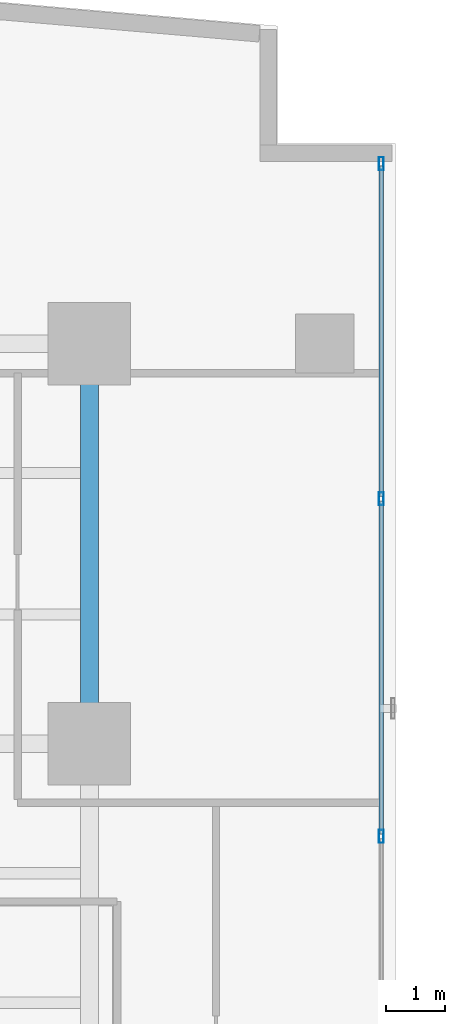
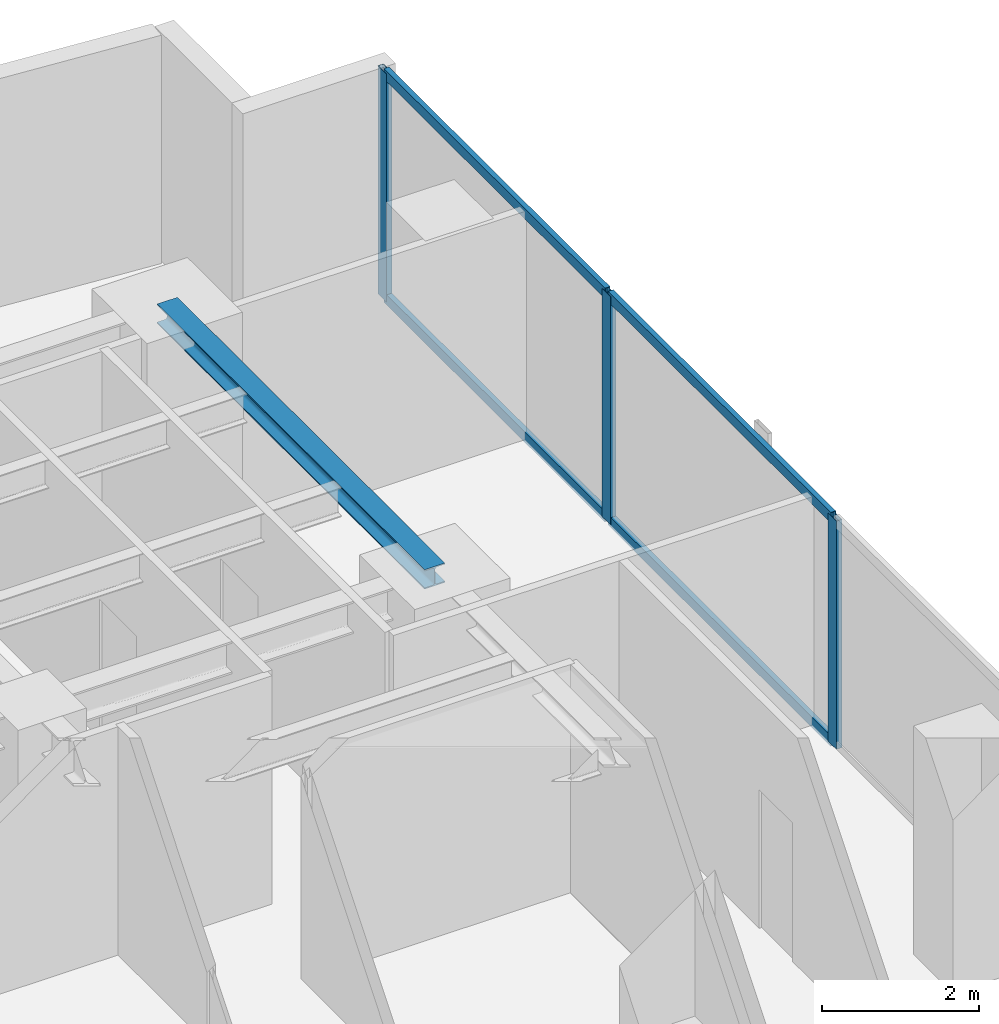
# One storey, part 18 of 27: 7 members, 1 beam, 1 element without a shape of its own.
"""IFC4 building model written with IfcOpenShell, lengths in metres."""

from ifc_helpers import new_model, si_unit, direction, frame, origin, origin_with_axes, origin_2d, place, context, subcontext, project, spatial, hollow_rectangle, i_section, extrude, source, transform, mapped, material, layer, layer_set, material_profile, profile_set, type_object, element, aggregate, save


model = new_model("IFC4")

# Units and contexts
model_context = context("Model", 3, precision=1e-05, world=origin(), true_north=direction((0.0, 1.0)))
body_context = subcontext(model_context, "Body", "Model", "MODEL_VIEW")
ifc_project = project(units=[si_unit("LENGTHUNIT", "METRE"), si_unit("AREAUNIT", "SQUARE_METRE"), si_unit("VOLUMEUNIT", "CUBIC_METRE"), si_unit("PLANEANGLEUNIT", "RADIAN"), si_unit("MASSUNIT", "GRAM", prefix="KILO")], contexts=[model_context])

# Site, building, storey
site_placement = place(None, origin())
site = spatial("IfcSite", under=ifc_project, at=site_placement, CompositionType="ELEMENT")
building_placement = place(site_placement, origin())
building = spatial("IfcBuilding", under=site, at=building_placement, Name="Kolvaren Waterfront Exchange", CompositionType="ELEMENT")
storey_placement = place(building_placement, frame((0.0, 0.0, 118.300048828125)))
storey = spatial("IfcBuildingStorey", under=building, at=storey_placement, Name="L30", CompositionType="ELEMENT", Elevation=118.300048828125)

# Beam
ifc_material_1 = material(Name="Steel S355", Category="steel")
ifc_material_profile_1 = material_profile(ifc_material_1, i_section(OverallWidth=0.300048828125, OverallDepth=0.300048828125, WebThickness=0.010986328125, FlangeThickness=0.01904296875, FilletRadius=0.027099609375, at=origin_2d()), Name="HEB300")
ifc_profile_set_1 = profile_set([ifc_material_profile_1], Name="Steel S355")
beam_type = type_object("IfcBeamType", Name="STR-BM-HEB300", PredefinedType="SPANDREL", material=ifc_profile_set_1)
beam_placement = place(storey_placement, frame((18.800048828125, 37.800048828125, 3.389892578125), z_axis=(0.0, 1.0, 0.0), x_axis=(-1.0, 0.0, 0.0)))
element("IfcBeam", 1, at=beam_placement, inside=storey, type_object=beam_type, Name="L30 north-arm edge beam 3", PredefinedType="SPANDREL", context=body_context, shape_type="SweptSolid", body=[
    extrude(i_section(OverallWidth=0.300048828125, OverallDepth=0.300048828125, WebThickness=0.010986328125, FlangeThickness=0.01904296875, FilletRadius=0.027099609375, at=origin_2d()), origin(), (0.0, 0.0, 1.0), 6.800048828125),
])

# Curtain wall, members
ifc_material_2 = material(Name="Anodised bronze aluminium 6063-T6", Category="aluminium")
ifc_layer = layer(ifc_material_2, 0.219970703125, Name="Anodised bronze aluminium 6063-T6")
ifc_layer_set = layer_set([ifc_layer], Name="Anodised bronze aluminium 6063-T6")
curtain_wall_type = type_object("IfcCurtainWallType", Name="ARC-CW-SYS1", PredefinedType="USERDEFINED", material=ifc_layer_set)
curtain_wall_placement = place(storey_placement, origin())
curtain_wall = element("IfcCurtainWall", 2, at=curtain_wall_placement, inside=storey, type_object=curtain_wall_type, Name="L30 stick curtain wall CW1 (CW-L30-NE)", ObjectType="STICK CURTAIN WALL", PredefinedType="USERDEFINED")
ifc_material_3 = material(Name="Anodised aluminium 6063-T6", Category="aluminium")
ifc_material_profile_2 = material_profile(ifc_material_3, hollow_rectangle(XDim=0.080078125, YDim=0.219970703125, WallThickness=0.0048828125, at=origin_2d()), Name="ALU-MUL-220x80x5")
ifc_profile_set_2 = profile_set([ifc_material_profile_2], Name="Anodised aluminium 6063-T6")
member_type_1 = type_object("IfcMemberType", Name="ARC-CWM-220", PredefinedType="MULLION", material=ifc_profile_set_2)
shared_shape_1 = source(origin_with_axes(), body_context, "Body", "SweptSolid", [
    extrude(hollow_rectangle(XDim=0.080078125, YDim=0.219970703125, WallThickness=0.0048828125, at=origin_2d()), origin(), (0.0, 0.0, 1.0), 3.5400390625),
])
member_1_placement = place(storey_placement, frame((23.760009765625, 36.2265625, 0.0), z_axis=(0.0, 0.0, 1.0), x_axis=(-1.0, 0.0, 0.0)))
member_1 = element("IfcMember", 3, at=member_1_placement, type_object=member_type_1, Name="CW1 mullion 2", PredefinedType="MULLION", context=body_context, shape_type="MappedRepresentation", body=[
    mapped(shared_shape_1, transform((0.0, 0.0, 0.0), x_axis=(1.0, 0.0, 0.0), y_axis=(0.0, 1.0, 0.0), z_axis=(0.0, 0.0, 1.0), scale=1.0)),
])
member_2_placement = place(storey_placement, frame((23.760009765625, 41.96337890625, 0.0), z_axis=(0.0, 0.0, 1.0), x_axis=(-1.0, 0.0, 0.0)))
member_2 = element("IfcMember", 4, at=member_2_placement, type_object=member_type_1, Name="CW1 mullion 3", PredefinedType="MULLION", context=body_context, shape_type="MappedRepresentation", body=[
    mapped(shared_shape_1, transform((0.0, 0.0, 0.0), x_axis=(1.0, 0.0, 0.0), y_axis=(0.0, 1.0, 0.0), z_axis=(0.0, 0.0, 1.0), scale=1.0)),
])
member_3_placement = place(storey_placement, frame((23.760009765625, 47.659912109375, 0.0), z_axis=(0.0, 0.0, 1.0), x_axis=(-1.0, 0.0, 0.0)))
member_3 = element("IfcMember", 5, at=member_3_placement, type_object=member_type_1, Name="CW1 mullion 4", PredefinedType="MULLION", context=body_context, shape_type="MappedRepresentation", body=[
    mapped(shared_shape_1, transform((0.0, 0.0, 0.0), x_axis=(1.0, 0.0, 0.0), y_axis=(0.0, 1.0, 0.0), z_axis=(0.0, 0.0, 1.0), scale=1.0)),
])
ifc_material_profile_3 = material_profile(ifc_material_3, hollow_rectangle(XDim=0.074951171875, YDim=0.159912109375, WallThickness=0.00439453125, at=origin_2d()), Name="ALU-TRN-160x75x4.5")
ifc_profile_set_3 = profile_set([ifc_material_profile_3], Name="Anodised aluminium 6063-T6")
member_type_2 = type_object("IfcMemberType", Name="ARC-CWT-160", PredefinedType="USERDEFINED", material=ifc_profile_set_3)
shared_shape_2 = source(origin_with_axes(), body_context, "Body", "SweptSolid", [
    extrude(hollow_rectangle(XDim=0.074951171875, YDim=0.159912109375, WallThickness=0.00439453125, at=origin_2d()), origin(), (0.0, 0.0, 1.0), 5.61669921875),
])
member_4_placement = place(storey_placement, frame((23.760009765625, 42.00341796875, 0.037353515625), z_axis=(0.0, 1.0, 0.0), x_axis=(-1.0, 0.0, 0.0)))
member_4 = element("IfcMember", 6, at=member_4_placement, type_object=member_type_2, Name="CW1 transom 3.1", ObjectType="TRANSOM", PredefinedType="USERDEFINED", context=body_context, shape_type="MappedRepresentation", body=[
    mapped(shared_shape_2, transform((0.0, 0.0, 0.0), x_axis=(1.0, 0.0, 0.0), y_axis=(0.0, 1.0, 0.0), z_axis=(0.0, 0.0, 1.0), scale=1.0)),
])
member_5_placement = place(storey_placement, frame((23.760009765625, 42.00341796875, 3.50244140625), z_axis=(0.0, 1.0, 0.0), x_axis=(-1.0, 0.0, 0.0)))
member_5 = element("IfcMember", 7, at=member_5_placement, type_object=member_type_2, Name="CW1 transom 3.2", ObjectType="TRANSOM", PredefinedType="USERDEFINED", context=body_context, shape_type="MappedRepresentation", body=[
    mapped(shared_shape_2, transform((0.0, 0.0, 0.0), x_axis=(1.0, 0.0, 0.0), y_axis=(0.0, 1.0, 0.0), z_axis=(0.0, 0.0, 1.0), scale=1.0)),
])
shared_shape_3 = source(origin_with_axes(), body_context, "Body", "SweptSolid", [
    extrude(hollow_rectangle(XDim=0.074951171875, YDim=0.159912109375, WallThickness=0.00439453125, at=origin_2d()), origin(), (0.0, 0.0, 1.0), 5.65673828125),
])
member_6_placement = place(storey_placement, frame((23.760009765625, 36.2666015625, 0.037353515625), z_axis=(0.0, 1.0, 0.0), x_axis=(-1.0, 0.0, 0.0)))
member_6 = element("IfcMember", 8, at=member_6_placement, type_object=member_type_2, Name="CW1 transom 2.1", ObjectType="TRANSOM", PredefinedType="USERDEFINED", context=body_context, shape_type="MappedRepresentation", body=[
    mapped(shared_shape_3, transform((0.0, 0.0, 0.0), x_axis=(1.0, 0.0, 0.0), y_axis=(0.0, 1.0, 0.0), z_axis=(0.0, 0.0, 1.0), scale=1.0)),
])
member_7_placement = place(storey_placement, frame((23.760009765625, 36.2666015625, 3.50244140625), z_axis=(0.0, 1.0, 0.0), x_axis=(-1.0, 0.0, 0.0)))
member_7 = element("IfcMember", 9, at=member_7_placement, type_object=member_type_2, Name="CW1 transom 2.2", ObjectType="TRANSOM", PredefinedType="USERDEFINED", context=body_context, shape_type="MappedRepresentation", body=[
    mapped(shared_shape_3, transform((0.0, 0.0, 0.0), x_axis=(1.0, 0.0, 0.0), y_axis=(0.0, 1.0, 0.0), z_axis=(0.0, 0.0, 1.0), scale=1.0)),
])
aggregate(curtain_wall, [member_1, member_2, member_3, member_6, member_7, member_4, member_5])

save(model, "model.ifc")
